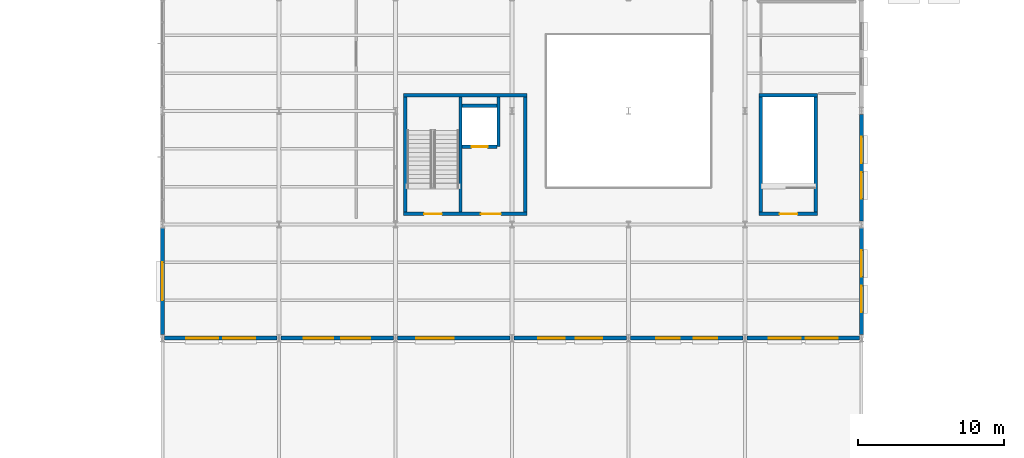
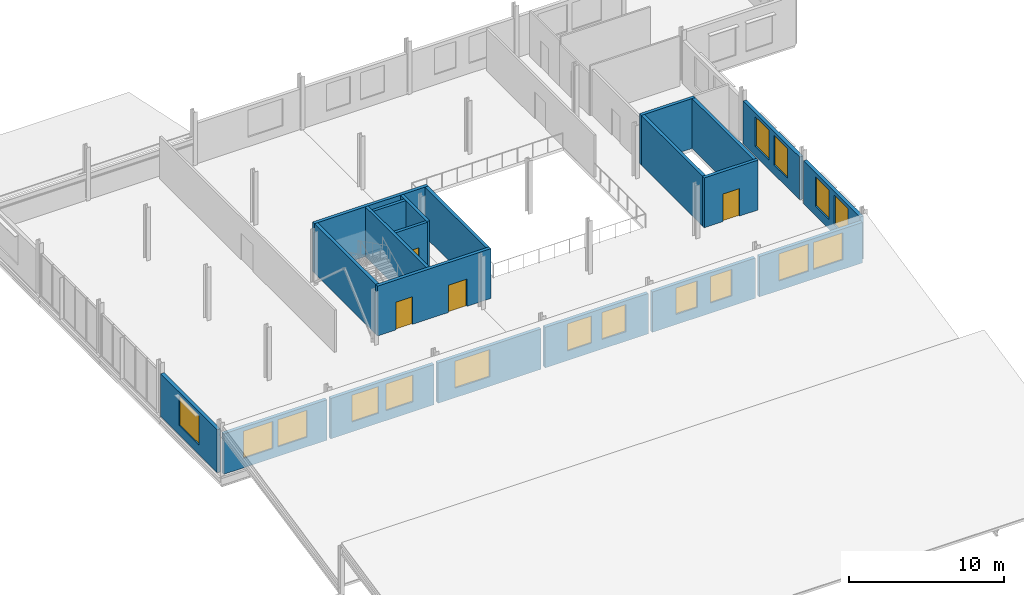
# One storey, part 35 of 45: 21 walls, 16 windows, 4 doors, 20 openings.
"""IFC4 building model written with IfcOpenShell, lengths in metres."""

from ifc_helpers import new_model, si_unit, direction, frame, frame_2d, origin, place, context, subcontext, project, spatial, rectangle, extrude, material, layer, layer_set, type_object, element, fill, save


model = new_model("IFC4")

# Units and contexts
model_context = context("Model", 3, precision=1e-05, world=origin(), true_north=direction((0.0, 1.0)))
body_context = subcontext(model_context, "Body", "Model", "MODEL_VIEW")
ifc_project = project(units=[si_unit("LENGTHUNIT", "METRE"), si_unit("AREAUNIT", "SQUARE_METRE"), si_unit("VOLUMEUNIT", "CUBIC_METRE"), si_unit("PLANEANGLEUNIT", "RADIAN"), si_unit("MASSUNIT", "GRAM", prefix="KILO")], contexts=[model_context])

# Site, building, storey
site_placement = place(None, origin())
site = spatial("IfcSite", under=ifc_project, at=site_placement, CompositionType="ELEMENT")
building_placement = place(site_placement, origin())
building = spatial("IfcBuilding", under=site, at=building_placement, Name="Yukiwa Park Conservatory and Herbarium", CompositionType="ELEMENT")
storey_placement = place(building_placement, frame((0.0, 0.0, 9.0)))
storey = spatial("IfcBuildingStorey", under=building, at=storey_placement, Name="L02", CompositionType="ELEMENT", Elevation=9.0)

# Wall
ifc_material_1 = material(Name="Concrete C40", Category="concrete")
ifc_layer_1 = layer(ifc_material_1, 0.219970703125)
ifc_layer_set_1 = layer_set([ifc_layer_1], Name="Concrete C40")
wall_type_1 = type_object("IfcWallType", Name="WL-CORE-RC220", PredefinedType="SHEAR", material=ifc_layer_set_1)
wall_1_placement = place(storey_placement, frame((80.4599609375, 55.449951171875, 0.0), z_axis=(0.0, 0.0, 1.0), x_axis=(0.0, 1.0, 0.0)))
element("IfcWall", 1, at=wall_1_placement, inside=storey, type_object=wall_type_1, Name="L02 core shear wall 268", PredefinedType="SHEAR", context=body_context, shape_type="SweptSolid", body=[
    extrude(rectangle(XDim=7.900146484375, YDim=0.219970703125, at=frame_2d((3.9501953125, 0.0))), origin(), (0.0, 0.0, 1.0), 3.93505859375),
])

# Wall, opening, door
wall_2_placement = place(storey_placement, frame((80.570068359375, 59.93994140625, 0.0), z_axis=(0.0, 0.0, 1.0), x_axis=(1.0, 0.0, 0.0)))
wall_2 = element("IfcWall", 2, at=wall_2_placement, inside=storey, type_object=wall_type_1, Name="L02 core shear wall 270", PredefinedType="SHEAR", context=body_context, shape_type="SweptSolid", body=[
    extrude(rectangle(XDim=2.39990234375, YDim=0.219970703125, at=frame_2d((1.199951171875, 0.0))), origin(), (0.0, 0.0, 1.0), 3.93505859375),
])
opening_1_placement = place(wall_2_placement, frame((0.64990234375, 0.0, 0.0)))
opening_1 = element("IfcOpeningElement", 3, at=opening_1_placement, cuts=wall_2, Name="Opening LD-01", PredefinedType="OPENING", context=body_context, shape_type="SweptSolid", body=[
    extrude(rectangle(XDim=1.10009765625, YDim=2.14990234375, at=frame_2d((0.550048828125, 1.074951171875))), frame((0.0, 0.1201171875, 0.0), z_axis=(0.0, -1.0, 0.0), x_axis=(1.0, 0.0, 0.0)), (0.0, 0.0, 1.0), 0.239990234375),
])
ifc_material_2 = material(Name="Steel Q235B", Category="steel")
door_type_1 = type_object("IfcDoorType", Name="DR-LIFT-LD1100", OperationType="SLIDING_TO_LEFT", PredefinedType="DOOR", material=ifc_material_2)
door_1_placement = place(opening_1_placement, origin())
door_1 = element("IfcDoor", 4, at=door_1_placement, inside=storey, type_object=door_type_1, Name="L02 Visitor Accessible Lift VL1 sliding landing door", OperationType="SLIDING_TO_LEFT", OverallHeight=2.14990234375, OverallWidth=1.10009765625, PredefinedType="DOOR", context=body_context, shape_type="SweptSolid", body=[
    extrude(rectangle(XDim=1.10009765625, YDim=2.14990234375, at=frame_2d((0.550048828125, 1.074951171875))), frame((0.0, 0.02490234375, 0.0), z_axis=(0.0, -1.0, 0.0), x_axis=(1.0, 0.0, 0.0)), (0.0, 0.0, 1.0), 0.050048828125),
])
fill(opening_1, door_1)

# Walls
wall_3_placement = place(storey_placement, frame((83.080078125, 59.93994140625, 0.0), z_axis=(0.0, 0.0, 1.0), x_axis=(0.0, 1.0, 0.0)))
element("IfcWall", 5, at=wall_3_placement, inside=storey, type_object=wall_type_1, Name="L02 core shear wall 271", PredefinedType="SHEAR", context=body_context, shape_type="SweptSolid", body=[
    extrude(rectangle(XDim=3.41015625, YDim=0.219970703125, at=frame_2d((1.705078125, 0.0))), origin(), (0.0, 0.0, 1.0), 3.93505859375),
])
wall_4_placement = place(storey_placement, frame((80.570068359375, 62.760009765625, 0.0), z_axis=(0.0, 0.0, 1.0), x_axis=(1.0, 0.0, 0.0)))
element("IfcWall", 6, at=wall_4_placement, inside=storey, type_object=wall_type_1, Name="L02 core shear wall 272", PredefinedType="SHEAR", context=body_context, shape_type="SweptSolid", body=[
    extrude(rectangle(XDim=2.39990234375, YDim=0.219970703125, at=frame_2d((1.199951171875, 0.0))), origin(), (0.0, 0.0, 1.0), 3.93505859375),
])

# Wall, openings, doors
ifc_material_3 = material(Name="Concrete C50", Category="concrete")
ifc_layer_2 = layer(ifc_material_3, 0.239990234375)
ifc_layer_set_2 = layer_set([ifc_layer_2], Name="Concrete C50")
wall_type_2 = type_object("IfcWallType", Name="WL-CORE-RC240", PredefinedType="SHEAR", material=ifc_layer_set_2)
wall_5_placement = place(storey_placement, frame((76.56005859375, 55.330078125, 0.0), z_axis=(0.0, 0.0, 1.0), x_axis=(1.0, 0.0, 0.0)))
wall_5 = element("IfcWall", 7, at=wall_5_placement, inside=storey, type_object=wall_type_2, Name="L02 core shear wall 265", PredefinedType="SHEAR", context=body_context, shape_type="SweptSolid", body=[
    extrude(rectangle(XDim=8.47998046875, YDim=0.239990234375, at=frame_2d((4.239990234375, 0.0))), origin(), (0.0, 0.0, 1.0), 3.93505859375),
])
opening_2_placement = place(wall_5_placement, frame((1.39990234375, 0.0, 0.0)))
opening_2 = element("IfcOpeningElement", 8, at=opening_2_placement, cuts=wall_5, Name="Opening SD-01", PredefinedType="OPENING", context=body_context, shape_type="SweptSolid", body=[
    extrude(rectangle(XDim=1.219970703125, YDim=2.179931640625, at=frame_2d((0.60986328125, 1.08984375))), frame((0.0, 0.1298828125, 0.0), z_axis=(0.0, -1.0, 0.0), x_axis=(1.0, 0.0, 0.0)), (0.0, 0.0, 1.0), 0.260009765625),
])
opening_3_placement = place(wall_5_placement, frame((5.300048828125, 0.0, 0.0)))
opening_3 = element("IfcOpeningElement", 9, at=opening_3_placement, cuts=wall_5, Name="Opening FD-06", PredefinedType="OPENING", context=body_context, shape_type="SweptSolid", body=[
    extrude(rectangle(XDim=1.3798828125, YDim=2.14990234375, at=frame_2d((0.68994140625, 1.074951171875))), frame((0.0, 0.1298828125, 0.0), z_axis=(0.0, -1.0, 0.0), x_axis=(1.0, 0.0, 0.0)), (0.0, 0.0, 1.0), 0.260009765625),
])
ifc_material_4 = material(Name="Steel Q235B", Category="steel")
door_type_2 = type_object("IfcDoorType", Name="DR-FIRE-FD60-1400", OperationType="DOUBLE_DOOR_SINGLE_SWING", PredefinedType="DOOR", material=ifc_material_4)
door_2_placement = place(opening_3_placement, frame((1.3798828125, 0.0, 0.0), z_axis=(0.0, 0.0, 1.0), x_axis=(-1.0, 0.0, 0.0)))
door_2 = element("IfcDoor", 10, at=door_2_placement, inside=storey, type_object=door_type_2, Name="L02 Visitor Lift Lobby double fire door", OperationType="DOUBLE_DOOR_SINGLE_SWING", OverallHeight=2.14990234375, OverallWidth=1.3798828125, PredefinedType="DOOR", context=body_context, shape_type="SweptSolid", body=[
    extrude(rectangle(XDim=1.3798828125, YDim=2.14990234375, at=frame_2d((0.68994140625, 1.074951171875))), frame((0.0, 0.02490234375, 0.0), z_axis=(0.0, -1.0, 0.0), x_axis=(1.0, 0.0, 0.0)), (0.0, 0.0, 1.0), 0.050048828125),
])
fill(opening_3, door_2)
ifc_material_5 = material(Name="Steel Q235B", Category="steel")
door_type_3 = type_object("IfcDoorType", Name="DR-STAIR-FD90-1200", OperationType="SINGLE_SWING_LEFT", PredefinedType="DOOR", material=ifc_material_5)
door_3_placement = place(opening_2_placement, origin())
door_3 = element("IfcDoor", 11, at=door_3_placement, inside=storey, type_object=door_type_3, Name="L02 Stairwell ST-V1 fire door", OperationType="SINGLE_SWING_LEFT", OverallHeight=2.179931640625, OverallWidth=1.219970703125, PredefinedType="DOOR", context=body_context, shape_type="SweptSolid", body=[
    extrude(rectangle(XDim=1.219970703125, YDim=2.179931640625, at=frame_2d((0.60986328125, 1.08984375))), frame((0.0, 0.02490234375, 0.0), z_axis=(0.0, -1.0, 0.0), x_axis=(1.0, 0.0, 0.0)), (0.0, 0.0, 1.0), 0.050048828125),
])
fill(opening_2, door_3)

# Walls
wall_6_placement = place(storey_placement, frame((76.56005859375, 63.469970703125, 0.0), z_axis=(0.0, 0.0, 1.0), x_axis=(1.0, 0.0, 0.0)))
element("IfcWall", 12, at=wall_6_placement, inside=storey, type_object=wall_type_2, Name="L02 core shear wall 266", PredefinedType="SHEAR", context=body_context, shape_type="SweptSolid", body=[
    extrude(rectangle(XDim=8.47998046875, YDim=0.239990234375, at=frame_2d((4.239990234375, 0.0))), origin(), (0.0, 0.0, 1.0), 3.93505859375),
])
for number, where, z_axis, x_axis, name in (
    (13, (76.679931640625, 55.449951171875, 0.0), (0.0, 0.0, 1.0), (0.0, 1.0, 0.0), "L02 core shear wall 267"),
    (14, (84.919921875, 55.449951171875, 0.0), (0.0, 0.0, 1.0), (0.0, 1.0, 0.0), "L02 core shear wall 269"),
):
    element("IfcWall", number, at=place(storey_placement, frame(where, z_axis=z_axis, x_axis=x_axis)), inside=storey, type_object=wall_type_2, Name=name, PredefinedType="SHEAR", context=body_context, shape_type="SweptSolid", body=[
        extrude(rectangle(XDim=7.900146484375, YDim=0.239990234375, at=frame_2d((3.9501953125, 0.0))), origin(), (0.0, 0.0, 1.0), 3.93505859375),
    ])

# Wall, opening, door
wall_7_placement = place(storey_placement, frame((100.9599609375, 55.330078125, 0.0), z_axis=(0.0, 0.0, 1.0), x_axis=(1.0, 0.0, 0.0)))
wall_7 = element("IfcWall", 15, at=wall_7_placement, inside=storey, type_object=wall_type_2, Name="L02 core shear wall 277", PredefinedType="SHEAR", context=body_context, shape_type="SweptSolid", body=[
    extrude(rectangle(XDim=4.030029296875, YDim=0.239990234375, at=frame_2d((2.01513671875, 0.0))), origin(), (0.0, 0.0, 1.0), 3.93505859375),
])
opening_4_placement = place(wall_7_placement, frame((1.4150390625, 0.0, 0.0)))
opening_4 = element("IfcOpeningElement", 16, at=opening_4_placement, cuts=wall_7, Name="Opening SD-01", PredefinedType="OPENING", context=body_context, shape_type="SweptSolid", body=[
    extrude(rectangle(XDim=1.219970703125, YDim=2.179931640625, at=frame_2d((0.60986328125, 1.08984375))), frame((0.0, 0.1298828125, 0.0), z_axis=(0.0, -1.0, 0.0), x_axis=(1.0, 0.0, 0.0)), (0.0, 0.0, 1.0), 0.260009765625),
])
door_4_placement = place(opening_4_placement, origin())
door_4 = element("IfcDoor", 17, at=door_4_placement, inside=storey, type_object=door_type_3, Name="L02 Stairwell ST-V2 fire door", OperationType="SINGLE_SWING_LEFT", OverallHeight=2.179931640625, OverallWidth=1.219970703125, PredefinedType="DOOR", context=body_context, shape_type="SweptSolid", body=[
    extrude(rectangle(XDim=1.219970703125, YDim=2.179931640625, at=frame_2d((0.60986328125, 1.08984375))), frame((0.0, 0.02490234375, 0.0), z_axis=(0.0, -1.0, 0.0), x_axis=(1.0, 0.0, 0.0)), (0.0, 0.0, 1.0), 0.050048828125),
])
fill(opening_4, door_4)

# Walls
wall_8_placement = place(storey_placement, frame((100.9599609375, 63.469970703125, 0.0), z_axis=(0.0, 0.0, 1.0), x_axis=(1.0, 0.0, 0.0)))
element("IfcWall", 18, at=wall_8_placement, inside=storey, type_object=wall_type_2, Name="L02 core shear wall 278", PredefinedType="SHEAR", context=body_context, shape_type="SweptSolid", body=[
    extrude(rectangle(XDim=4.030029296875, YDim=0.239990234375, at=frame_2d((2.01513671875, 0.0))), origin(), (0.0, 0.0, 1.0), 3.93505859375),
])
for number, where, z_axis, x_axis, name in (
    (19, (101.080078125, 55.449951171875, 0.0), (0.0, 0.0, 1.0), (0.0, 1.0, 0.0), "L02 core shear wall 279"),
    (20, (104.8701171875, 55.449951171875, 0.0), (0.0, 0.0, 1.0), (0.0, 1.0, 0.0), "L02 core shear wall 280"),
):
    element("IfcWall", number, at=place(storey_placement, frame(where, z_axis=z_axis, x_axis=x_axis)), inside=storey, type_object=wall_type_2, Name=name, PredefinedType="SHEAR", context=body_context, shape_type="SweptSolid", body=[
        extrude(rectangle(XDim=7.900146484375, YDim=0.239990234375, at=frame_2d((3.9501953125, 0.0))), origin(), (0.0, 0.0, 1.0), 3.93505859375),
    ])

# Wall, openings, windows
ifc_material_6 = material(Name="Charred Larch Cladding", Category="wood")
ifc_layer_3 = layer(ifc_material_6, 0.260009765625)
ifc_layer_set_3 = layer_set([ifc_layer_3], Name="Charred Larch Cladding")
wall_type_3 = type_object("IfcWallType", Name="WL-EXT-LARCH-260", PredefinedType="SOLIDWALL", material=ifc_layer_set_3)
wall_9_placement = place(storey_placement, frame((108.0, 47.041015625, 0.0), z_axis=(0.0, 0.0, 1.0), x_axis=(0.0, 1.0, 0.0)))
wall_9 = element("IfcWall", 21, at=wall_9_placement, inside=storey, type_object=wall_type_3, Name="L02 exterior envelope wall 207", PredefinedType="SOLIDWALL", context=body_context, shape_type="SweptSolid", body=[
    extrude(rectangle(XDim=7.31787109375, YDim=0.260009765625, at=frame_2d((3.658935546875, 0.0))), origin(), (0.0, 0.0, 1.0), 3.385986328125),
])
opening_5_placement = place(wall_9_placement, frame((1.5390625, 0.0, 0.75)))
opening_5 = element("IfcOpeningElement", 22, at=opening_5_placement, cuts=wall_9, Name="Opening W-12", PredefinedType="OPENING", context=body_context, shape_type="SweptSolid", body=[
    extrude(rectangle(XDim=1.800048828125, YDim=2.340087890625, at=frame_2d((0.89990234375, 1.169921875))), frame((0.0, 0.14013671875, 0.0), z_axis=(0.0, -1.0, 0.0), x_axis=(1.0, 0.0, 0.0)), (0.0, 0.0, 1.0), 0.280029296875),
])
opening_6_placement = place(wall_9_placement, frame((3.97900390625, 0.0, 0.75)))
opening_6 = element("IfcOpeningElement", 23, at=opening_6_placement, cuts=wall_9, Name="Opening W-12", PredefinedType="OPENING", context=body_context, shape_type="SweptSolid", body=[
    extrude(rectangle(XDim=1.800048828125, YDim=2.340087890625, at=frame_2d((0.89990234375, 1.169921875))), frame((0.0, 0.14013671875, 0.0), z_axis=(0.0, -1.0, 0.0), x_axis=(1.0, 0.0, 0.0)), (0.0, 0.0, 1.0), 0.280029296875),
])
ifc_material_7 = material(Name="Triple Low-E Insulated Glass", Category="glass")
window_type_1 = type_object("IfcWindowType", Name="WN-VS-1800X2400", PartitioningType="SINGLE_PANEL", PredefinedType="WINDOW", material=ifc_material_7)
window_1_placement = place(opening_5_placement, origin())
window_1 = element("IfcWindow", 24, at=window_1_placement, inside=storey, type_object=window_type_1, Name="L02 deep-reveal triple-glazed window 119", OverallHeight=2.340087890625, OverallWidth=1.800048828125, PartitioningType="SINGLE_PANEL", PredefinedType="WINDOW", context=body_context, shape_type="SweptSolid", body=[
    extrude(rectangle(XDim=1.800048828125, YDim=2.340087890625, at=frame_2d((0.89990234375, 1.169921875))), frame((0.0, 0.030029296875, 0.0), z_axis=(0.0, -1.0, 0.0), x_axis=(1.0, 0.0, 0.0)), (0.0, 0.0, 1.0), 0.06005859375),
])
fill(opening_5, window_1)
window_2_placement = place(opening_6_placement, origin())
window_2 = element("IfcWindow", 25, at=window_2_placement, inside=storey, type_object=window_type_1, Name="L02 deep-reveal triple-glazed window 120", OverallHeight=2.340087890625, OverallWidth=1.800048828125, PartitioningType="SINGLE_PANEL", PredefinedType="WINDOW", context=body_context, shape_type="SweptSolid", body=[
    extrude(rectangle(XDim=1.800048828125, YDim=2.340087890625, at=frame_2d((0.89990234375, 1.169921875))), frame((0.0, 0.030029296875, 0.0), z_axis=(0.0, -1.0, 0.0), x_axis=(1.0, 0.0, 0.0)), (0.0, 0.0, 1.0), 0.06005859375),
])
fill(opening_6, window_2)

wall_10_placement = place(storey_placement, frame((108.0, 54.841064453125, 0.0), z_axis=(0.0, 0.0, 1.0), x_axis=(0.0, 1.0, 0.0)))
wall_10 = element("IfcWall", 26, at=wall_10_placement, inside=storey, type_object=wall_type_3, Name="L02 exterior envelope wall 208", PredefinedType="SOLIDWALL", context=body_context, shape_type="SweptSolid", body=[
    extrude(rectangle(XDim=7.31787109375, YDim=0.260009765625, at=frame_2d((3.658935546875, 0.0))), origin(), (0.0, 0.0, 1.0), 3.385986328125),
])
opening_7_placement = place(wall_10_placement, frame((1.5390625, 0.0, 0.75)))
opening_7 = element("IfcOpeningElement", 27, at=opening_7_placement, cuts=wall_10, Name="Opening W-12", PredefinedType="OPENING", context=body_context, shape_type="SweptSolid", body=[
    extrude(rectangle(XDim=1.800048828125, YDim=2.340087890625, at=frame_2d((0.89990234375, 1.169921875))), frame((0.0, 0.14013671875, 0.0), z_axis=(0.0, -1.0, 0.0), x_axis=(1.0, 0.0, 0.0)), (0.0, 0.0, 1.0), 0.280029296875),
])
opening_8_placement = place(wall_10_placement, frame((3.97900390625, 0.0, 0.75)))
opening_8 = element("IfcOpeningElement", 28, at=opening_8_placement, cuts=wall_10, Name="Opening W-12", PredefinedType="OPENING", context=body_context, shape_type="SweptSolid", body=[
    extrude(rectangle(XDim=1.800048828125, YDim=2.340087890625, at=frame_2d((0.89990234375, 1.169921875))), frame((0.0, 0.14013671875, 0.0), z_axis=(0.0, -1.0, 0.0), x_axis=(1.0, 0.0, 0.0)), (0.0, 0.0, 1.0), 0.280029296875),
])
window_3_placement = place(opening_7_placement, origin())
window_3 = element("IfcWindow", 29, at=window_3_placement, inside=storey, type_object=window_type_1, Name="L02 deep-reveal triple-glazed window 121", OverallHeight=2.340087890625, OverallWidth=1.800048828125, PartitioningType="SINGLE_PANEL", PredefinedType="WINDOW", context=body_context, shape_type="SweptSolid", body=[
    extrude(rectangle(XDim=1.800048828125, YDim=2.340087890625, at=frame_2d((0.89990234375, 1.169921875))), frame((0.0, 0.030029296875, 0.0), z_axis=(0.0, -1.0, 0.0), x_axis=(1.0, 0.0, 0.0)), (0.0, 0.0, 1.0), 0.06005859375),
])
fill(opening_7, window_3)
window_4_placement = place(opening_8_placement, origin())
window_4 = element("IfcWindow", 30, at=window_4_placement, inside=storey, type_object=window_type_1, Name="L02 deep-reveal triple-glazed window 122", OverallHeight=2.340087890625, OverallWidth=1.800048828125, PartitioningType="SINGLE_PANEL", PredefinedType="WINDOW", context=body_context, shape_type="SweptSolid", body=[
    extrude(rectangle(XDim=1.800048828125, YDim=2.340087890625, at=frame_2d((0.89990234375, 1.169921875))), frame((0.0, 0.030029296875, 0.0), z_axis=(0.0, -1.0, 0.0), x_axis=(1.0, 0.0, 0.0)), (0.0, 0.0, 1.0), 0.06005859375),
])
fill(opening_8, window_4)

# Wall, opening, window
wall_11_placement = place(storey_placement, frame((60.0, 54.35888671875, 0.0), z_axis=(0.0, 0.0, 1.0), x_axis=(0.0, -1.0, 0.0)))
wall_11 = element("IfcWall", 31, at=wall_11_placement, inside=storey, type_object=wall_type_3, Name="L02 exterior envelope wall 236", PredefinedType="SOLIDWALL", context=body_context, shape_type="SweptSolid", body=[
    extrude(rectangle(XDim=7.31787109375, YDim=0.260009765625, at=frame_2d((3.658935546875, 0.0))), origin(), (0.0, 0.0, 1.0), 3.385986328125),
])
opening_9_placement = place(wall_11_placement, frame((2.35888671875, 0.0, 0.75)))
opening_9 = element("IfcOpeningElement", 32, at=opening_9_placement, cuts=wall_11, Name="Opening W-14", PredefinedType="OPENING", context=body_context, shape_type="SweptSolid", body=[
    extrude(rectangle(XDim=2.60009765625, YDim=2.340087890625, at=frame_2d((1.300048828125, 1.169921875))), frame((0.0, 0.14013671875, 0.0), z_axis=(0.0, -1.0, 0.0), x_axis=(1.0, 0.0, 0.0)), (0.0, 0.0, 1.0), 0.280029296875),
])
ifc_material_8 = material(Name="Triple Low-E Insulated Glass", Category="glass")
window_type_2 = type_object("IfcWindowType", Name="WN-VS-2600X2400", PartitioningType="SINGLE_PANEL", PredefinedType="WINDOW", material=ifc_material_8)
window_5_placement = place(opening_9_placement, origin())
window_5 = element("IfcWindow", 33, at=window_5_placement, inside=storey, type_object=window_type_2, Name="L02 deep-reveal triple-glazed window 166", OverallHeight=2.340087890625, OverallWidth=2.60009765625, PartitioningType="SINGLE_PANEL", PredefinedType="WINDOW", context=body_context, shape_type="SweptSolid", body=[
    extrude(rectangle(XDim=2.60009765625, YDim=2.340087890625, at=frame_2d((1.300048828125, 1.169921875))), frame((0.0, 0.030029296875, 0.0), z_axis=(0.0, -1.0, 0.0), x_axis=(1.0, 0.0, 0.0)), (0.0, 0.0, 1.0), 0.06005859375),
])
fill(opening_9, window_5)

# Wall, openings, windows
wall_12_placement = place(storey_placement, frame((60.14990234375, 46.800048828125, 0.0), z_axis=(0.0, 0.0, 1.0), x_axis=(1.0, 0.0, 0.0)))
wall_12 = element("IfcWall", 34, at=wall_12_placement, inside=storey, type_object=wall_type_3, Name="L02 exterior envelope wall 237", PredefinedType="SOLIDWALL", context=body_context, shape_type="SweptSolid", body=[
    extrude(rectangle(XDim=7.7001953125, YDim=0.260009765625, at=frame_2d((3.85009765625, 0.0))), origin(), (0.0, 0.0, 1.0), 3.18798828125),
])
opening_10_placement = place(wall_12_placement, frame((1.467041015625, 0.0, 0.75)))
opening_10 = element("IfcOpeningElement", 35, at=opening_10_placement, cuts=wall_12, Name="Opening W-13", PredefinedType="OPENING", context=body_context, shape_type="SweptSolid", body=[
    extrude(rectangle(XDim=2.199951171875, YDim=2.139892578125, at=frame_2d((1.10009765625, 1.06982421875))), frame((0.0, 0.14013671875, 0.0), z_axis=(0.0, -1.0, 0.0), x_axis=(1.0, 0.0, 0.0)), (0.0, 0.0, 1.0), 0.280029296875),
])
opening_11_placement = place(wall_12_placement, frame((4.032958984375, 0.0, 0.75)))
opening_11 = element("IfcOpeningElement", 36, at=opening_11_placement, cuts=wall_12, Name="Opening W-13", PredefinedType="OPENING", context=body_context, shape_type="SweptSolid", body=[
    extrude(rectangle(XDim=2.199951171875, YDim=2.139892578125, at=frame_2d((1.10009765625, 1.06982421875))), frame((0.0, 0.14013671875, 0.0), z_axis=(0.0, -1.0, 0.0), x_axis=(1.0, 0.0, 0.0)), (0.0, 0.0, 1.0), 0.280029296875),
])
ifc_material_9 = material(Name="Triple Low-E Insulated Glass", Category="glass")
window_type_3 = type_object("IfcWindowType", Name="WN-VS-2200X2400", PartitioningType="SINGLE_PANEL", PredefinedType="WINDOW", material=ifc_material_9)
window_6_placement = place(opening_10_placement, origin())
window_6 = element("IfcWindow", 37, at=window_6_placement, inside=storey, type_object=window_type_3, Name="L02 deep-reveal triple-glazed window 167", OverallHeight=2.139892578125, OverallWidth=2.199951171875, PartitioningType="SINGLE_PANEL", PredefinedType="WINDOW", context=body_context, shape_type="SweptSolid", body=[
    extrude(rectangle(XDim=2.199951171875, YDim=2.139892578125, at=frame_2d((1.10009765625, 1.06982421875))), frame((0.0, 0.030029296875, 0.0), z_axis=(0.0, -1.0, 0.0), x_axis=(1.0, 0.0, 0.0)), (0.0, 0.0, 1.0), 0.06005859375),
])
fill(opening_10, window_6)
window_7_placement = place(opening_11_placement, origin())
window_7 = element("IfcWindow", 38, at=window_7_placement, inside=storey, type_object=window_type_3, Name="L02 deep-reveal triple-glazed window 168", OverallHeight=2.139892578125, OverallWidth=2.199951171875, PartitioningType="SINGLE_PANEL", PredefinedType="WINDOW", context=body_context, shape_type="SweptSolid", body=[
    extrude(rectangle(XDim=2.199951171875, YDim=2.139892578125, at=frame_2d((1.10009765625, 1.06982421875))), frame((0.0, 0.030029296875, 0.0), z_axis=(0.0, -1.0, 0.0), x_axis=(1.0, 0.0, 0.0)), (0.0, 0.0, 1.0), 0.06005859375),
])
fill(opening_11, window_7)

wall_13_placement = place(storey_placement, frame((68.14990234375, 46.800048828125, 0.0), z_axis=(0.0, 0.0, 1.0), x_axis=(1.0, 0.0, 0.0)))
wall_13 = element("IfcWall", 39, at=wall_13_placement, inside=storey, type_object=wall_type_3, Name="L02 exterior envelope wall 238", PredefinedType="SOLIDWALL", context=body_context, shape_type="SweptSolid", body=[
    extrude(rectangle(XDim=7.7001953125, YDim=0.260009765625, at=frame_2d((3.85009765625, 0.0))), origin(), (0.0, 0.0, 1.0), 3.18798828125),
])
opening_12_placement = place(wall_13_placement, frame((1.56689453125, 0.0, 0.780029296875)))
opening_12 = element("IfcOpeningElement", 40, at=opening_12_placement, cuts=wall_13, Name="Opening W-29", PredefinedType="OPENING", context=body_context, shape_type="SweptSolid", body=[
    extrude(rectangle(XDim=2.0, YDim=2.110107421875, at=frame_2d((1.0, 1.05517578125))), frame((0.0, 0.14013671875, 0.0), z_axis=(0.0, -1.0, 0.0), x_axis=(1.0, 0.0, 0.0)), (0.0, 0.0, 1.0), 0.280029296875),
])
opening_13_placement = place(wall_13_placement, frame((4.133056640625, 0.0, 0.780029296875)))
opening_13 = element("IfcOpeningElement", 41, at=opening_13_placement, cuts=wall_13, Name="Opening W-29", PredefinedType="OPENING", context=body_context, shape_type="SweptSolid", body=[
    extrude(rectangle(XDim=2.0, YDim=2.110107421875, at=frame_2d((1.0, 1.05517578125))), frame((0.0, 0.14013671875, 0.0), z_axis=(0.0, -1.0, 0.0), x_axis=(1.0, 0.0, 0.0)), (0.0, 0.0, 1.0), 0.280029296875),
])
ifc_material_10 = material(Name="Triple Low-E Insulated Glass", Category="glass")
window_type_4 = type_object("IfcWindowType", Name="WN-VS-2000X2350", PartitioningType="SINGLE_PANEL", PredefinedType="WINDOW", material=ifc_material_10)
window_8_placement = place(opening_12_placement, origin())
window_8 = element("IfcWindow", 42, at=window_8_placement, inside=storey, type_object=window_type_4, Name="L02 deep-reveal triple-glazed window 169", OverallHeight=2.110107421875, OverallWidth=2.0, PartitioningType="SINGLE_PANEL", PredefinedType="WINDOW", context=body_context, shape_type="SweptSolid", body=[
    extrude(rectangle(XDim=2.0, YDim=2.110107421875, at=frame_2d((1.0, 1.05517578125))), frame((0.0, 0.030029296875, 0.0), z_axis=(0.0, -1.0, 0.0), x_axis=(1.0, 0.0, 0.0)), (0.0, 0.0, 1.0), 0.06005859375),
])
fill(opening_12, window_8)
window_9_placement = place(opening_13_placement, origin())
window_9 = element("IfcWindow", 43, at=window_9_placement, inside=storey, type_object=window_type_4, Name="L02 deep-reveal triple-glazed window 170", OverallHeight=2.110107421875, OverallWidth=2.0, PartitioningType="SINGLE_PANEL", PredefinedType="WINDOW", context=body_context, shape_type="SweptSolid", body=[
    extrude(rectangle(XDim=2.0, YDim=2.110107421875, at=frame_2d((1.0, 1.05517578125))), frame((0.0, 0.030029296875, 0.0), z_axis=(0.0, -1.0, 0.0), x_axis=(1.0, 0.0, 0.0)), (0.0, 0.0, 1.0), 0.06005859375),
])
fill(opening_13, window_9)

# Wall, opening, window
wall_14_placement = place(storey_placement, frame((76.14990234375, 46.800048828125, 0.0), z_axis=(0.0, 0.0, 1.0), x_axis=(1.0, 0.0, 0.0)))
wall_14 = element("IfcWall", 44, at=wall_14_placement, inside=storey, type_object=wall_type_3, Name="L02 exterior envelope wall 239", PredefinedType="SOLIDWALL", context=body_context, shape_type="SweptSolid", body=[
    extrude(rectangle(XDim=7.7001953125, YDim=0.260009765625, at=frame_2d((3.85009765625, 0.0))), origin(), (0.0, 0.0, 1.0), 3.18798828125),
])
opening_14_placement = place(wall_14_placement, frame((1.26708984375, 0.0, 0.75)))
opening_14 = element("IfcOpeningElement", 45, at=opening_14_placement, cuts=wall_14, Name="Opening W-14", PredefinedType="OPENING", context=body_context, shape_type="SweptSolid", body=[
    extrude(rectangle(XDim=2.60009765625, YDim=2.139892578125, at=frame_2d((1.300048828125, 1.06982421875))), frame((0.0, 0.14013671875, 0.0), z_axis=(0.0, -1.0, 0.0), x_axis=(1.0, 0.0, 0.0)), (0.0, 0.0, 1.0), 0.280029296875),
])
window_10_placement = place(opening_14_placement, origin())
window_10 = element("IfcWindow", 46, at=window_10_placement, inside=storey, type_object=window_type_2, Name="L02 deep-reveal triple-glazed window 171", OverallHeight=2.139892578125, OverallWidth=2.60009765625, PartitioningType="SINGLE_PANEL", PredefinedType="WINDOW", context=body_context, shape_type="SweptSolid", body=[
    extrude(rectangle(XDim=2.60009765625, YDim=2.139892578125, at=frame_2d((1.300048828125, 1.06982421875))), frame((0.0, 0.030029296875, 0.0), z_axis=(0.0, -1.0, 0.0), x_axis=(1.0, 0.0, 0.0)), (0.0, 0.0, 1.0), 0.06005859375),
])
fill(opening_14, window_10)

# Wall, openings, windows
wall_15_placement = place(storey_placement, frame((84.14990234375, 46.800048828125, 0.0), z_axis=(0.0, 0.0, 1.0), x_axis=(1.0, 0.0, 0.0)))
wall_15 = element("IfcWall", 47, at=wall_15_placement, inside=storey, type_object=wall_type_3, Name="L02 exterior envelope wall 240", PredefinedType="SOLIDWALL", context=body_context, shape_type="SweptSolid", body=[
    extrude(rectangle(XDim=7.7001953125, YDim=0.260009765625, at=frame_2d((3.85009765625, 0.0))), origin(), (0.0, 0.0, 1.0), 3.18798828125),
])
opening_15_placement = place(wall_15_placement, frame((1.6669921875, 0.0, 0.75)))
opening_15 = element("IfcOpeningElement", 48, at=opening_15_placement, cuts=wall_15, Name="Opening W-12", PredefinedType="OPENING", context=body_context, shape_type="SweptSolid", body=[
    extrude(rectangle(XDim=1.800048828125, YDim=2.139892578125, at=frame_2d((0.89990234375, 1.06982421875))), frame((0.0, 0.14013671875, 0.0), z_axis=(0.0, -1.0, 0.0), x_axis=(1.0, 0.0, 0.0)), (0.0, 0.0, 1.0), 0.280029296875),
])
opening_16_placement = place(wall_15_placement, frame((4.23291015625, 0.0, 0.75)))
opening_16 = element("IfcOpeningElement", 49, at=opening_16_placement, cuts=wall_15, Name="Opening W-12", PredefinedType="OPENING", context=body_context, shape_type="SweptSolid", body=[
    extrude(rectangle(XDim=1.800048828125, YDim=2.139892578125, at=frame_2d((0.89990234375, 1.06982421875))), frame((0.0, 0.14013671875, 0.0), z_axis=(0.0, -1.0, 0.0), x_axis=(1.0, 0.0, 0.0)), (0.0, 0.0, 1.0), 0.280029296875),
])
window_11_placement = place(opening_15_placement, origin())
window_11 = element("IfcWindow", 50, at=window_11_placement, inside=storey, type_object=window_type_1, Name="L02 deep-reveal triple-glazed window 172", OverallHeight=2.139892578125, OverallWidth=1.800048828125, PartitioningType="SINGLE_PANEL", PredefinedType="WINDOW", context=body_context, shape_type="SweptSolid", body=[
    extrude(rectangle(XDim=1.800048828125, YDim=2.139892578125, at=frame_2d((0.89990234375, 1.06982421875))), frame((0.0, 0.030029296875, 0.0), z_axis=(0.0, -1.0, 0.0), x_axis=(1.0, 0.0, 0.0)), (0.0, 0.0, 1.0), 0.06005859375),
])
fill(opening_15, window_11)
window_12_placement = place(opening_16_placement, origin())
window_12 = element("IfcWindow", 51, at=window_12_placement, inside=storey, type_object=window_type_1, Name="L02 deep-reveal triple-glazed window 173", OverallHeight=2.139892578125, OverallWidth=1.800048828125, PartitioningType="SINGLE_PANEL", PredefinedType="WINDOW", context=body_context, shape_type="SweptSolid", body=[
    extrude(rectangle(XDim=1.800048828125, YDim=2.139892578125, at=frame_2d((0.89990234375, 1.06982421875))), frame((0.0, 0.030029296875, 0.0), z_axis=(0.0, -1.0, 0.0), x_axis=(1.0, 0.0, 0.0)), (0.0, 0.0, 1.0), 0.06005859375),
])
fill(opening_16, window_12)

wall_16_placement = place(storey_placement, frame((92.14990234375, 46.800048828125, 0.0), z_axis=(0.0, 0.0, 1.0), x_axis=(1.0, 0.0, 0.0)))
wall_16 = element("IfcWall", 52, at=wall_16_placement, inside=storey, type_object=wall_type_3, Name="L02 exterior envelope wall 241", PredefinedType="SOLIDWALL", context=body_context, shape_type="SweptSolid", body=[
    extrude(rectangle(XDim=7.7001953125, YDim=0.260009765625, at=frame_2d((3.85009765625, 0.0))), origin(), (0.0, 0.0, 1.0), 3.18798828125),
])
opening_17_placement = place(wall_16_placement, frame((1.76708984375, 0.0, 0.800048828125)))
opening_17 = element("IfcOpeningElement", 53, at=opening_17_placement, cuts=wall_16, Name="Opening W-28", PredefinedType="OPENING", context=body_context, shape_type="SweptSolid", body=[
    extrude(rectangle(XDim=1.60009765625, YDim=2.090087890625, at=frame_2d((0.800048828125, 1.044921875))), frame((0.0, 0.14013671875, 0.0), z_axis=(0.0, -1.0, 0.0), x_axis=(1.0, 0.0, 0.0)), (0.0, 0.0, 1.0), 0.280029296875),
])
opening_18_placement = place(wall_16_placement, frame((4.3330078125, 0.0, 0.800048828125)))
opening_18 = element("IfcOpeningElement", 54, at=opening_18_placement, cuts=wall_16, Name="Opening W-28", PredefinedType="OPENING", context=body_context, shape_type="SweptSolid", body=[
    extrude(rectangle(XDim=1.60009765625, YDim=2.090087890625, at=frame_2d((0.800048828125, 1.044921875))), frame((0.0, 0.14013671875, 0.0), z_axis=(0.0, -1.0, 0.0), x_axis=(1.0, 0.0, 0.0)), (0.0, 0.0, 1.0), 0.280029296875),
])
ifc_material_11 = material(Name="Triple Low-E Insulated Glass", Category="glass")
window_type_5 = type_object("IfcWindowType", Name="WN-VS-1600X2300", PartitioningType="SINGLE_PANEL", PredefinedType="WINDOW", material=ifc_material_11)
window_13_placement = place(opening_17_placement, origin())
window_13 = element("IfcWindow", 55, at=window_13_placement, inside=storey, type_object=window_type_5, Name="L02 deep-reveal triple-glazed window 174", OverallHeight=2.090087890625, OverallWidth=1.60009765625, PartitioningType="SINGLE_PANEL", PredefinedType="WINDOW", context=body_context, shape_type="SweptSolid", body=[
    extrude(rectangle(XDim=1.60009765625, YDim=2.090087890625, at=frame_2d((0.800048828125, 1.044921875))), frame((0.0, 0.030029296875, 0.0), z_axis=(0.0, -1.0, 0.0), x_axis=(1.0, 0.0, 0.0)), (0.0, 0.0, 1.0), 0.06005859375),
])
fill(opening_17, window_13)
window_14_placement = place(opening_18_placement, origin())
window_14 = element("IfcWindow", 56, at=window_14_placement, inside=storey, type_object=window_type_5, Name="L02 deep-reveal triple-glazed window 175", OverallHeight=2.090087890625, OverallWidth=1.60009765625, PartitioningType="SINGLE_PANEL", PredefinedType="WINDOW", context=body_context, shape_type="SweptSolid", body=[
    extrude(rectangle(XDim=1.60009765625, YDim=2.090087890625, at=frame_2d((0.800048828125, 1.044921875))), frame((0.0, 0.030029296875, 0.0), z_axis=(0.0, -1.0, 0.0), x_axis=(1.0, 0.0, 0.0)), (0.0, 0.0, 1.0), 0.06005859375),
])
fill(opening_18, window_14)

wall_17_placement = place(storey_placement, frame((100.14990234375, 46.800048828125, 0.0), z_axis=(0.0, 0.0, 1.0), x_axis=(1.0, 0.0, 0.0)))
wall_17 = element("IfcWall", 57, at=wall_17_placement, inside=storey, type_object=wall_type_3, Name="L02 exterior envelope wall 242", PredefinedType="SOLIDWALL", context=body_context, shape_type="SweptSolid", body=[
    extrude(rectangle(XDim=7.7001953125, YDim=0.260009765625, at=frame_2d((3.85009765625, 0.0))), origin(), (0.0, 0.0, 1.0), 3.18798828125),
])
opening_19_placement = place(wall_17_placement, frame((1.467041015625, 0.0, 0.75)))
opening_19 = element("IfcOpeningElement", 58, at=opening_19_placement, cuts=wall_17, Name="Opening W-13", PredefinedType="OPENING", context=body_context, shape_type="SweptSolid", body=[
    extrude(rectangle(XDim=2.199951171875, YDim=2.139892578125, at=frame_2d((1.10009765625, 1.06982421875))), frame((0.0, 0.14013671875, 0.0), z_axis=(0.0, -1.0, 0.0), x_axis=(1.0, 0.0, 0.0)), (0.0, 0.0, 1.0), 0.280029296875),
])
opening_20_placement = place(wall_17_placement, frame((4.032958984375, 0.0, 0.75)))
opening_20 = element("IfcOpeningElement", 59, at=opening_20_placement, cuts=wall_17, Name="Opening W-13", PredefinedType="OPENING", context=body_context, shape_type="SweptSolid", body=[
    extrude(rectangle(XDim=2.199951171875, YDim=2.139892578125, at=frame_2d((1.10009765625, 1.06982421875))), frame((0.0, 0.14013671875, 0.0), z_axis=(0.0, -1.0, 0.0), x_axis=(1.0, 0.0, 0.0)), (0.0, 0.0, 1.0), 0.280029296875),
])
window_15_placement = place(opening_19_placement, origin())
window_15 = element("IfcWindow", 60, at=window_15_placement, inside=storey, type_object=window_type_3, Name="L02 deep-reveal triple-glazed window 176", OverallHeight=2.139892578125, OverallWidth=2.199951171875, PartitioningType="SINGLE_PANEL", PredefinedType="WINDOW", context=body_context, shape_type="SweptSolid", body=[
    extrude(rectangle(XDim=2.199951171875, YDim=2.139892578125, at=frame_2d((1.10009765625, 1.06982421875))), frame((0.0, 0.030029296875, 0.0), z_axis=(0.0, -1.0, 0.0), x_axis=(1.0, 0.0, 0.0)), (0.0, 0.0, 1.0), 0.06005859375),
])
fill(opening_19, window_15)
window_16_placement = place(opening_20_placement, origin())
window_16 = element("IfcWindow", 61, at=window_16_placement, inside=storey, type_object=window_type_3, Name="L02 deep-reveal triple-glazed window 177", OverallHeight=2.139892578125, OverallWidth=2.199951171875, PartitioningType="SINGLE_PANEL", PredefinedType="WINDOW", context=body_context, shape_type="SweptSolid", body=[
    extrude(rectangle(XDim=2.199951171875, YDim=2.139892578125, at=frame_2d((1.10009765625, 1.06982421875))), frame((0.0, 0.030029296875, 0.0), z_axis=(0.0, -1.0, 0.0), x_axis=(1.0, 0.0, 0.0)), (0.0, 0.0, 1.0), 0.06005859375),
])
fill(opening_20, window_16)

save(model, "model.ifc")
